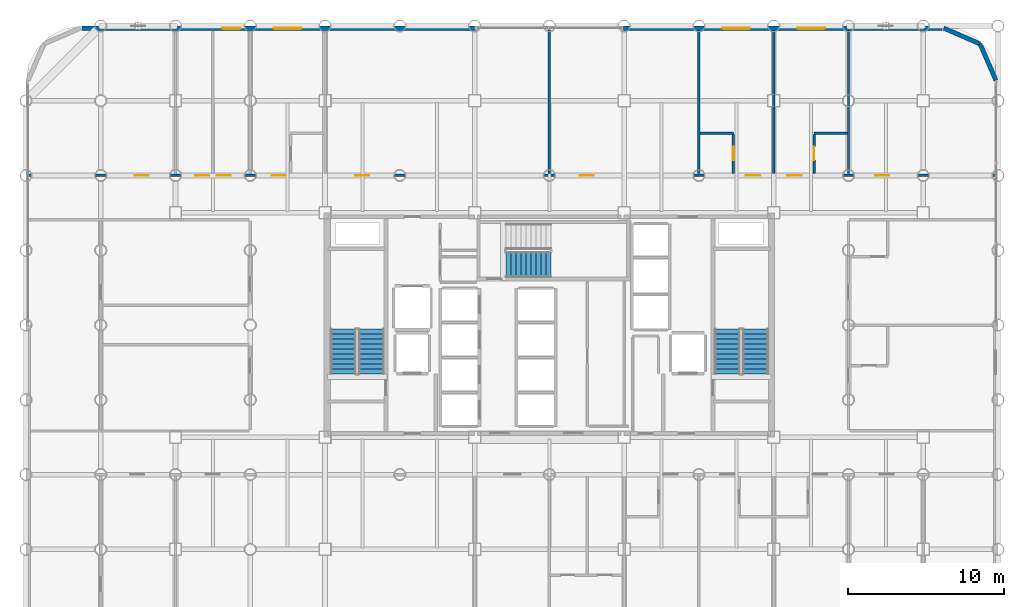
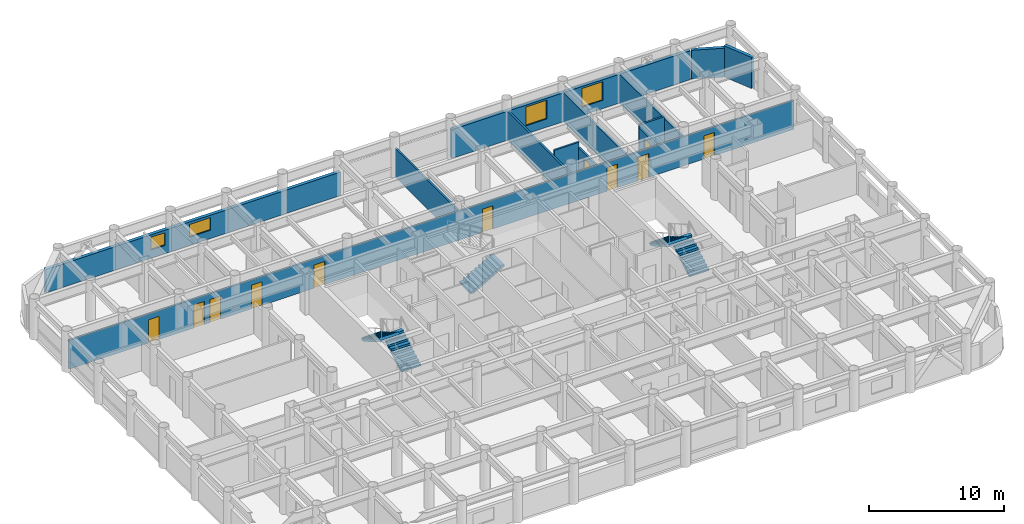
# One storey, part 19 of 21: 13 walls, 11 doors, 5 stair flights, 4 windows, 15 openings, 3 elements without a shape of their own.
"""IFC4 building model written with IfcOpenShell, lengths in metres."""

from ifc_helpers import new_model, si_unit, direction, frame, frame_2d, origin, place, context, subcontext, project, spatial, polyline, rectangle, outline, extrude, material, layer, layer_set, type_object, element, fill, aggregate, save


model = new_model("IFC4")

# Units and contexts
model_context = context("Model", 3, precision=1e-05, world=origin(), true_north=direction((0.0, 1.0)))
body_context = subcontext(model_context, "Body", "Model", "MODEL_VIEW")
ifc_project = project(units=[si_unit("LENGTHUNIT", "METRE"), si_unit("AREAUNIT", "SQUARE_METRE"), si_unit("VOLUMEUNIT", "CUBIC_METRE"), si_unit("PLANEANGLEUNIT", "RADIAN"), si_unit("MASSUNIT", "GRAM", prefix="KILO")], contexts=[model_context])

# Site, building, storey
site_placement = place(None, origin())
site = spatial("IfcSite", under=ifc_project, at=site_placement, CompositionType="ELEMENT")
building_placement = place(site_placement, origin())
building = spatial("IfcBuilding", under=site, at=building_placement, Name="Kallvorn Hotel Tower", CompositionType="ELEMENT")
storey_placement = place(building_placement, frame((0.0, 0.0, 44.800048828125)))
storey = spatial("IfcBuildingStorey", under=building, at=storey_placement, Name="L09", CompositionType="ELEMENT", Elevation=44.800048828125)

# Wall, openings, doors
ifc_material_1 = material(Name="Fire-rated double-layer acoustic gypsum drywall EI 60")
ifc_layer_1 = layer(ifc_material_1, 0.159912109375)
ifc_layer_set_1 = layer_set([ifc_layer_1], Name="WL_DEMISE_160")
wall_type_1 = type_object("IfcWallType", Name="WL_DEMISE_160", PredefinedType="PARTITIONING", material=ifc_layer_set_1)
wall_1_placement = place(storey_placement, frame((-33.429931640625, 9.60009765625, 0.0), z_axis=(0.0, 0.0, 1.0), x_axis=(1.0, 0.0, 0.0)))
wall_1 = element("IfcWall", 1, at=wall_1_placement, inside=storey, type_object=wall_type_1, Name="L09 Suite 907 Standard Twin Room Partition", PredefinedType="PARTITIONING", context=body_context, shape_type="SweptSolid", body=[
    extrude(rectangle(XDim=62.059814453125, YDim=0.159912109375, at=frame_2d((31.02978515625, 0.0))), origin(), (0.0, 0.0, 1.0), 2.619873046875),
])
opening_1_placement = place(wall_1_placement, frame((6.799560546875, 0.0, 0.0)))
opening_1 = element("IfcOpeningElement", 2, at=opening_1_placement, cuts=wall_1, Name="Opening SVD1", PredefinedType="OPENING", context=body_context, shape_type="SweptSolid", body=[
    extrude(rectangle(XDim=0.89990234375, YDim=2.10009765625, at=frame_2d((0.449951171875, 1.050048828125))), frame((0.0, 0.094970703125, 0.0), z_axis=(0.0, -1.0, 0.0), x_axis=(1.0, 0.0, 0.0)), (0.0, 0.0, 1.0), 0.18994140625),
])
opening_2_placement = place(wall_1_placement, frame((54.360595703125, 0.0, 0.0)))
opening_2 = element("IfcOpeningElement", 3, at=opening_2_placement, cuts=wall_1, Name="Opening SVD1", PredefinedType="OPENING", context=body_context, shape_type="SweptSolid", body=[
    extrude(rectangle(XDim=0.89990234375, YDim=2.10009765625, at=frame_2d((0.449951171875, 1.050048828125))), frame((0.0, 0.094970703125, 0.0), z_axis=(0.0, -1.0, 0.0), x_axis=(1.0, 0.0, 0.0)), (0.0, 0.0, 1.0), 0.18994140625),
])
opening_3_placement = place(wall_1_placement, frame((10.68994140625, 0.0, 0.0)))
opening_3 = element("IfcOpeningElement", 4, at=opening_3_placement, cuts=wall_1, Name="Opening SVD1", PredefinedType="OPENING", context=body_context, shape_type="SweptSolid", body=[
    extrude(rectangle(XDim=0.89990234375, YDim=2.10009765625, at=frame_2d((0.449951171875, 1.050048828125))), frame((0.0, 0.094970703125, 0.0), z_axis=(0.0, -1.0, 0.0), x_axis=(1.0, 0.0, 0.0)), (0.0, 0.0, 1.0), 0.18994140625),
])
opening_4_placement = place(wall_1_placement, frame((12.070068359375, 0.0, 0.0)))
opening_4 = element("IfcOpeningElement", 5, at=opening_4_placement, cuts=wall_1, Name="Opening SVD1", PredefinedType="OPENING", context=body_context, shape_type="SweptSolid", body=[
    extrude(rectangle(XDim=0.89990234375, YDim=2.10009765625, at=frame_2d((0.449951171875, 1.050048828125))), frame((0.0, 0.094970703125, 0.0), z_axis=(0.0, -1.0, 0.0), x_axis=(1.0, 0.0, 0.0)), (0.0, 0.0, 1.0), 0.18994140625),
])
opening_5_placement = place(wall_1_placement, frame((15.60009765625, 0.0, 0.0)))
opening_5 = element("IfcOpeningElement", 6, at=opening_5_placement, cuts=wall_1, Name="Opening GD1", PredefinedType="OPENING", context=body_context, shape_type="SweptSolid", body=[
    extrude(rectangle(XDim=0.919921875, YDim=2.14990234375, at=frame_2d((0.4599609375, 1.074951171875))), frame((0.0, 0.094970703125, 0.0), z_axis=(0.0, -1.0, 0.0), x_axis=(1.0, 0.0, 0.0)), (0.0, 0.0, 1.0), 0.18994140625),
])
opening_6_placement = place(wall_1_placement, frame((20.97998046875, 0.0, 0.0)))
opening_6 = element("IfcOpeningElement", 7, at=opening_6_placement, cuts=wall_1, Name="Opening SVD1", PredefinedType="OPENING", context=body_context, shape_type="SweptSolid", body=[
    extrude(rectangle(XDim=0.89990234375, YDim=2.10009765625, at=frame_2d((0.449951171875, 1.050048828125))), frame((0.0, 0.094970703125, 0.0), z_axis=(0.0, -1.0, 0.0), x_axis=(1.0, 0.0, 0.0)), (0.0, 0.0, 1.0), 0.18994140625),
])
opening_7_placement = place(wall_1_placement, frame((35.3798828125, 0.0, 0.0)))
opening_7 = element("IfcOpeningElement", 8, at=opening_7_placement, cuts=wall_1, Name="Opening SVD1", PredefinedType="OPENING", context=body_context, shape_type="SweptSolid", body=[
    extrude(rectangle(XDim=0.89990234375, YDim=2.10009765625, at=frame_2d((0.449951171875, 1.050048828125))), frame((0.0, 0.094970703125, 0.0), z_axis=(0.0, -1.0, 0.0), x_axis=(1.0, 0.0, 0.0)), (0.0, 0.0, 1.0), 0.18994140625),
])
opening_8_placement = place(wall_1_placement, frame((46.034912109375, 0.0, 0.0)))
opening_8 = element("IfcOpeningElement", 9, at=opening_8_placement, cuts=wall_1, Name="Opening GD1", PredefinedType="OPENING", context=body_context, shape_type="SweptSolid", body=[
    extrude(rectangle(XDim=0.919921875, YDim=2.14990234375, at=frame_2d((0.4599609375, 1.074951171875))), frame((0.0, 0.094970703125, 0.0), z_axis=(0.0, -1.0, 0.0), x_axis=(1.0, 0.0, 0.0)), (0.0, 0.0, 1.0), 0.18994140625),
])
opening_9_placement = place(wall_1_placement, frame((48.705078125, 0.0, 0.0)))
opening_9 = element("IfcOpeningElement", 10, at=opening_9_placement, cuts=wall_1, Name="Opening GD1", PredefinedType="OPENING", context=body_context, shape_type="SweptSolid", body=[
    extrude(rectangle(XDim=0.919921875, YDim=2.14990234375, at=frame_2d((0.4599609375, 1.074951171875))), frame((0.0, 0.094970703125, 0.0), z_axis=(0.0, -1.0, 0.0), x_axis=(1.0, 0.0, 0.0)), (0.0, 0.0, 1.0), 0.18994140625),
])
ifc_material_2 = material(Name="Solid-core walnut veneer fire-rated timber door leaf", Category="wood")
door_type_1 = type_object("IfcDoorType", Name="DR_GUEST_920x2150", OperationType="NOTDEFINED", PredefinedType="DOOR", material=ifc_material_2)
door_1_placement = place(opening_5_placement, origin())
door_1 = element("IfcDoor", 11, at=door_1_placement, inside=storey, type_object=door_type_1, Name="L09 Suite 907 Standard Twin Room Door", OperationType="SINGLE_SWING_RIGHT", OverallHeight=2.14990234375, OverallWidth=0.919921875, PredefinedType="DOOR", context=body_context, shape_type="SweptSolid", body=[
    extrude(rectangle(XDim=0.919921875, YDim=2.14990234375, at=frame_2d((0.4599609375, 1.074951171875))), frame((0.0, 0.02490234375, 0.0), z_axis=(0.0, -1.0, 0.0), x_axis=(1.0, 0.0, 0.0)), (0.0, 0.0, 1.0), 0.050048828125),
])
fill(opening_5, door_1)
door_2_placement = place(opening_8_placement, origin())
door_2 = element("IfcDoor", 12, at=door_2_placement, inside=storey, type_object=door_type_1, Name="L09 Suite 908 Standard King Room Door", OperationType="SINGLE_SWING_LEFT", OverallHeight=2.14990234375, OverallWidth=0.919921875, PredefinedType="DOOR", context=body_context, shape_type="SweptSolid", body=[
    extrude(rectangle(XDim=0.919921875, YDim=2.14990234375, at=frame_2d((0.4599609375, 1.074951171875))), frame((0.0, 0.02490234375, 0.0), z_axis=(0.0, -1.0, 0.0), x_axis=(1.0, 0.0, 0.0)), (0.0, 0.0, 1.0), 0.050048828125),
])
fill(opening_8, door_2)
door_3_placement = place(opening_9_placement, origin())
door_3 = element("IfcDoor", 13, at=door_3_placement, inside=storey, type_object=door_type_1, Name="L09 Suite 909 Standard King Room Door", OperationType="SINGLE_SWING_RIGHT", OverallHeight=2.14990234375, OverallWidth=0.919921875, PredefinedType="DOOR", context=body_context, shape_type="SweptSolid", body=[
    extrude(rectangle(XDim=0.919921875, YDim=2.14990234375, at=frame_2d((0.4599609375, 1.074951171875))), frame((0.0, 0.02490234375, 0.0), z_axis=(0.0, -1.0, 0.0), x_axis=(1.0, 0.0, 0.0)), (0.0, 0.0, 1.0), 0.050048828125),
])
fill(opening_9, door_3)
ifc_material_3 = material(Name="Galvanised painted steel fire-rated door assembly", Category="steel")
door_type_2 = type_object("IfcDoorType", Name="DR_SERV_900x2100", OperationType="NOTDEFINED", PredefinedType="DOOR", material=ifc_material_3)
door_4_placement = place(opening_1_placement, origin())
door_4 = element("IfcDoor", 14, at=door_4_placement, inside=storey, type_object=door_type_2, Name="L09 L09 North-West Fitness Gymnasium Door", OperationType="SINGLE_SWING_LEFT", OverallHeight=2.10009765625, OverallWidth=0.89990234375, PredefinedType="DOOR", context=body_context, shape_type="SweptSolid", body=[
    extrude(rectangle(XDim=0.89990234375, YDim=2.10009765625, at=frame_2d((0.449951171875, 1.050048828125))), frame((0.0, 0.02490234375, 0.0), z_axis=(0.0, -1.0, 0.0), x_axis=(1.0, 0.0, 0.0)), (0.0, 0.0, 1.0), 0.050048828125),
])
fill(opening_1, door_4)
door_5_placement = place(opening_2_placement, origin())
door_5 = element("IfcDoor", 15, at=door_5_placement, inside=storey, type_object=door_type_2, Name="L09 L09 North-East Reading Club Door", OperationType="SINGLE_SWING_LEFT", OverallHeight=2.10009765625, OverallWidth=0.89990234375, PredefinedType="DOOR", context=body_context, shape_type="SweptSolid", body=[
    extrude(rectangle(XDim=0.89990234375, YDim=2.10009765625, at=frame_2d((0.449951171875, 1.050048828125))), frame((0.0, 0.02490234375, 0.0), z_axis=(0.0, -1.0, 0.0), x_axis=(1.0, 0.0, 0.0)), (0.0, 0.0, 1.0), 0.050048828125),
])
fill(opening_2, door_5)
door_6_placement = place(opening_3_placement, origin())
door_6 = element("IfcDoor", 16, at=door_6_placement, inside=storey, type_object=door_type_2, Name="L09 Housekeeping and Linen Room Door", OperationType="SINGLE_SWING_LEFT", OverallHeight=2.10009765625, OverallWidth=0.89990234375, PredefinedType="DOOR", context=body_context, shape_type="SweptSolid", body=[
    extrude(rectangle(XDim=0.89990234375, YDim=2.10009765625, at=frame_2d((0.449951171875, 1.050048828125))), frame((0.0, 0.02490234375, 0.0), z_axis=(0.0, -1.0, 0.0), x_axis=(1.0, 0.0, 0.0)), (0.0, 0.0, 1.0), 0.050048828125),
])
fill(opening_3, door_6)
door_7_placement = place(opening_4_placement, origin())
door_7 = element("IfcDoor", 17, at=door_7_placement, inside=storey, type_object=door_type_2, Name="L09 Guest Tea and Refreshment Bar Door", OperationType="SINGLE_SWING_LEFT", OverallHeight=2.10009765625, OverallWidth=0.89990234375, PredefinedType="DOOR", context=body_context, shape_type="SweptSolid", body=[
    extrude(rectangle(XDim=0.89990234375, YDim=2.10009765625, at=frame_2d((0.449951171875, 1.050048828125))), frame((0.0, 0.02490234375, 0.0), z_axis=(0.0, -1.0, 0.0), x_axis=(1.0, 0.0, 0.0)), (0.0, 0.0, 1.0), 0.050048828125),
])
fill(opening_4, door_7)
door_8_placement = place(opening_6_placement, origin())
door_8 = element("IfcDoor", 18, at=door_8_placement, inside=storey, type_object=door_type_2, Name="L09 L09 Altitude Wellness Fitness Gymnasium 3 Door", OperationType="SINGLE_SWING_RIGHT", OverallHeight=2.10009765625, OverallWidth=0.89990234375, PredefinedType="DOOR", context=body_context, shape_type="SweptSolid", body=[
    extrude(rectangle(XDim=0.89990234375, YDim=2.10009765625, at=frame_2d((0.449951171875, 1.050048828125))), frame((0.0, 0.02490234375, 0.0), z_axis=(0.0, -1.0, 0.0), x_axis=(1.0, 0.0, 0.0)), (0.0, 0.0, 1.0), 0.050048828125),
])
fill(opening_6, door_8)
door_9_placement = place(opening_7_placement, origin())
door_9 = element("IfcDoor", 19, at=door_9_placement, inside=storey, type_object=door_type_2, Name="L09 L09 Curated Emerald Craft Retail Boutique 4 Door", OperationType="SINGLE_SWING_LEFT", OverallHeight=2.10009765625, OverallWidth=0.89990234375, PredefinedType="DOOR", context=body_context, shape_type="SweptSolid", body=[
    extrude(rectangle(XDim=0.89990234375, YDim=2.10009765625, at=frame_2d((0.449951171875, 1.050048828125))), frame((0.0, 0.02490234375, 0.0), z_axis=(0.0, -1.0, 0.0), x_axis=(1.0, 0.0, 0.0)), (0.0, 0.0, 1.0), 0.050048828125),
])
fill(opening_7, door_9)

# Walls
wall_2_placement = place(storey_placement, frame((9.679931640625, 12.320068359375, 0.0), z_axis=(0.0, 0.0, 1.0), x_axis=(1.0, 0.0, 0.0)))
element("IfcWall", 20, at=wall_2_placement, inside=storey, type_object=wall_type_1, Name="L09 Suite 908 Standard King Room Partition", PredefinedType="PARTITIONING", context=body_context, shape_type="SweptSolid", body=[
    extrude(rectangle(XDim=2.130126953125, YDim=0.159912109375, at=frame_2d((1.06494140625, 0.0))), origin(), (0.0, 0.0, 1.0), 3.070068359375),
])
wall_3_placement = place(storey_placement, frame((16.989990234375, 12.320068359375, 0.0), z_axis=(0.0, 0.0, 1.0), x_axis=(1.0, 0.0, 0.0)))
element("IfcWall", 21, at=wall_3_placement, inside=storey, type_object=wall_type_1, Name="L09 Suite 909 Standard King Room Partition", PredefinedType="PARTITIONING", context=body_context, shape_type="SweptSolid", body=[
    extrude(rectangle(XDim=2.130126953125, YDim=0.159912109375, at=frame_2d((1.06494140625, 0.0))), origin(), (0.0, 0.0, 1.0), 2.820068359375),
])
wall_4_placement = place(storey_placement, frame((9.60009765625, 9.719970703125, 0.0), z_axis=(0.0, 0.0, 1.0), x_axis=(0.0, 1.0, 0.0)))
element("IfcWall", 22, at=wall_4_placement, inside=storey, type_object=wall_type_1, Name="L09 Suite 908 Standard King Room Partition", PredefinedType="PARTITIONING", context=body_context, shape_type="SweptSolid", body=[
    extrude(rectangle(XDim=9.18994140625, YDim=0.159912109375, at=frame_2d((4.594970703125, 0.0))), origin(), (0.0, 0.0, 1.0), 2.619873046875),
])

# Wall, opening, door
wall_5_placement = place(storey_placement, frame((11.81005859375, 9.719970703125, 0.0), z_axis=(0.0, 0.0, 1.0), x_axis=(0.0, 1.0, 0.0)))
wall_5 = element("IfcWall", 23, at=wall_5_placement, inside=storey, type_object=wall_type_1, Name="L09 Suite 908 Standard King Room Partition", PredefinedType="PARTITIONING", context=body_context, shape_type="SweptSolid", body=[
    extrude(rectangle(XDim=2.51513671875, YDim=0.159912109375, at=frame_2d((1.257568359375, 0.0))), origin(), (0.0, 0.0, 1.0), 2.619873046875),
])
opening_10_placement = place(wall_5_placement, frame((0.8701171875, 0.0, 0.0)))
opening_10 = element("IfcOpeningElement", 24, at=opening_10_placement, cuts=wall_5, Name="Opening BD-I", PredefinedType="OPENING", context=body_context, shape_type="SweptSolid", body=[
    extrude(rectangle(XDim=0.860107421875, YDim=2.10009765625, at=frame_2d((0.43017578125, 1.050048828125))), frame((0.0, 0.094970703125, 0.0), z_axis=(0.0, -1.0, 0.0), x_axis=(1.0, 0.0, 0.0)), (0.0, 0.0, 1.0), 0.18994140625),
])
ifc_material_4 = material(Name="Solid-core walnut veneer fire-rated timber door leaf", Category="wood")
door_type_3 = type_object("IfcDoorType", Name="DR_BATH_860x2100", OperationType="NOTDEFINED", PredefinedType="DOOR", material=ifc_material_4)
door_10_placement = place(opening_10_placement, origin())
door_10 = element("IfcDoor", 25, at=door_10_placement, inside=storey, type_object=door_type_3, Name="L09 Suite 908 En-Suite Bathroom Door", OperationType="SINGLE_SWING_RIGHT", OverallHeight=2.10009765625, OverallWidth=0.860107421875, PredefinedType="DOOR", context=body_context, shape_type="SweptSolid", body=[
    extrude(rectangle(XDim=0.860107421875, YDim=2.10009765625, at=frame_2d((0.43017578125, 1.050048828125))), frame((0.0, 0.02490234375, 0.0), z_axis=(0.0, -1.0, 0.0), x_axis=(1.0, 0.0, 0.0)), (0.0, 0.0, 1.0), 0.050048828125),
])
fill(opening_10, door_10)

# Wall
wall_6_placement = place(storey_placement, frame((14.39990234375, 9.719970703125, 0.0), z_axis=(0.0, 0.0, 1.0), x_axis=(0.0, 1.0, 0.0)))
element("IfcWall", 26, at=wall_6_placement, inside=storey, type_object=wall_type_1, Name="L09 Suite 908 Standard King Room Partition", PredefinedType="PARTITIONING", context=body_context, shape_type="SweptSolid", body=[
    extrude(rectangle(XDim=9.18994140625, YDim=0.159912109375, at=frame_2d((4.594970703125, 0.0))), origin(), (0.0, 0.0, 1.0), 2.619873046875),
])

# Wall, opening, door
wall_7_placement = place(storey_placement, frame((16.989990234375, 9.719970703125, 0.0), z_axis=(0.0, 0.0, 1.0), x_axis=(0.0, 1.0, 0.0)))
wall_7 = element("IfcWall", 27, at=wall_7_placement, inside=storey, type_object=wall_type_1, Name="L09 Suite 909 Standard King Room Partition", PredefinedType="PARTITIONING", context=body_context, shape_type="SweptSolid", body=[
    extrude(rectangle(XDim=2.51513671875, YDim=0.159912109375, at=frame_2d((1.257568359375, 0.0))), origin(), (0.0, 0.0, 1.0), 2.619873046875),
])
opening_11_placement = place(wall_7_placement, frame((0.8701171875, 0.0, 0.0)))
opening_11 = element("IfcOpeningElement", 28, at=opening_11_placement, cuts=wall_7, Name="Opening BD-I", PredefinedType="OPENING", context=body_context, shape_type="SweptSolid", body=[
    extrude(rectangle(XDim=0.860107421875, YDim=2.10009765625, at=frame_2d((0.43017578125, 1.050048828125))), frame((0.0, 0.094970703125, 0.0), z_axis=(0.0, -1.0, 0.0), x_axis=(1.0, 0.0, 0.0)), (0.0, 0.0, 1.0), 0.18994140625),
])
door_11_placement = place(opening_11_placement, origin())
door_11 = element("IfcDoor", 29, at=door_11_placement, inside=storey, type_object=door_type_3, Name="L09 Suite 909 En-Suite Bathroom Door", OperationType="SINGLE_SWING_LEFT", OverallHeight=2.10009765625, OverallWidth=0.860107421875, PredefinedType="DOOR", context=body_context, shape_type="SweptSolid", body=[
    extrude(rectangle(XDim=0.860107421875, YDim=2.10009765625, at=frame_2d((0.43017578125, 1.050048828125))), frame((0.0, 0.02490234375, 0.0), z_axis=(0.0, -1.0, 0.0), x_axis=(1.0, 0.0, 0.0)), (0.0, 0.0, 1.0), 0.050048828125),
])
fill(opening_11, door_11)

# Walls
wall_8_placement = place(storey_placement, frame((19.199951171875, 9.719970703125, 0.0), z_axis=(0.0, 0.0, 1.0), x_axis=(0.0, 1.0, 0.0)))
element("IfcWall", 30, at=wall_8_placement, inside=storey, type_object=wall_type_1, Name="L09 Suite 909 Standard King Room Partition", PredefinedType="PARTITIONING", context=body_context, shape_type="SweptSolid", body=[
    extrude(rectangle(XDim=9.18994140625, YDim=0.159912109375, at=frame_2d((4.594970703125, 0.0))), origin(), (0.0, 0.0, 1.0), 2.619873046875),
])
ifc_material_5 = material(Name="Precast basalt-clad insulated concrete wall C40/50", Category="masonry")
ifc_layer_2 = layer(ifc_material_5, 0.280029296875)
ifc_layer_set_2 = layer_set([ifc_layer_2], Name="WL_EXT_LOGGIA_280")
wall_type_2 = type_object("IfcWallType", Name="WL_EXT_LOGGIA_280", PredefinedType="SOLIDWALL", material=ifc_layer_set_2)
wall_9_placement = place(storey_placement, frame((28.657958984375, 15.720703125, 0.0), z_axis=(0.0, 0.0, 1.0), x_axis=(-0.398792985289, 0.917040977756, 0.0)))
element("IfcWall", 31, at=wall_9_placement, inside=storey, type_object=wall_type_2, Name="L09 Rounded Corner Exterior Wall NE1", PredefinedType="SOLIDWALL", context=body_context, shape_type="SweptSolid", body=[
    extrude(rectangle(XDim=2.536376953125, YDim=0.280029296875, at=frame_2d((1.26806640625, 0.0))), origin(), (0.0, 0.0, 1.0), 2.820068359375),
])
wall_10_placement = place(storey_placement, frame((27.646484375, 18.046630859375, 0.0), z_axis=(0.0, 0.0, 1.0), x_axis=(-0.917060872934, 0.398747232384, 0.0)))
element("IfcWall", 32, at=wall_10_placement, inside=storey, type_object=wall_type_2, Name="L09 Rounded Corner Exterior Wall NE2", PredefinedType="SOLIDWALL", context=body_context, shape_type="SweptSolid", body=[
    extrude(rectangle(XDim=2.5361328125, YDim=0.280029296875, at=frame_2d((1.26806640625, 0.0))), origin(), (0.0, 0.0, 1.0), 2.619873046875),
])

# Wall, openings, windows
wall_11_placement = place(storey_placement, frame((-30.0, 19.06005859375, 0.0), z_axis=(0.0, 0.0, 1.0), x_axis=(1.0, 0.0, 0.0)))
wall_11 = element("IfcWall", 33, at=wall_11_placement, inside=storey, type_object=wall_type_2, Name="L09 Exterior Envelope Wall EW-L09-NW", PredefinedType="SOLIDWALL", context=body_context, shape_type="SweptSolid", body=[
    extrude(rectangle(XDim=25.25, YDim=0.280029296875, at=frame_2d((12.625, 0.0))), origin(), (0.0, 0.0, 1.0), 2.119873046875),
])
opening_12_placement = place(wall_11_placement, frame((9.0, 0.0, 0.75)))
opening_12 = element("IfcOpeningElement", 34, at=opening_12_placement, cuts=wall_11, Name="Opening W06A", PredefinedType="OPENING", context=body_context, shape_type="SweptSolid", body=[
    extrude(rectangle(XDim=1.199951171875, YDim=1.14990234375, at=frame_2d((0.60009765625, 0.574951171875))), frame((0.0, 0.155029296875, 0.0), z_axis=(0.0, -1.0, 0.0), x_axis=(1.0, 0.0, 0.0)), (0.0, 0.0, 1.0), 0.31005859375),
])
opening_13_placement = place(wall_11_placement, frame((12.300048828125, 0.0, 0.75)))
opening_13 = element("IfcOpeningElement", 35, at=opening_13_placement, cuts=wall_11, Name="Opening W04A", PredefinedType="OPENING", context=body_context, shape_type="SweptSolid", body=[
    extrude(rectangle(XDim=1.800048828125, YDim=1.14990234375, at=frame_2d((0.89990234375, 0.574951171875))), frame((0.0, 0.155029296875, 0.0), z_axis=(0.0, -1.0, 0.0), x_axis=(1.0, 0.0, 0.0)), (0.0, 0.0, 1.0), 0.31005859375),
])
ifc_material_6 = material(Name="Triple-glazed low-e acoustic solar-control dark glass", Category="glass")
window_type_1 = type_object("IfcWindowType", Name="WN_HTL_1200x1150", PartitioningType="SINGLE_PANEL", PredefinedType="WINDOW", material=ifc_material_6)
window_1_placement = place(opening_12_placement, origin())
window_1 = element("IfcWindow", 36, at=window_1_placement, inside=storey, type_object=window_type_1, Name="L09 Guestroom Exterior Window 06", OverallHeight=1.14990234375, OverallWidth=1.199951171875, PartitioningType="SINGLE_PANEL", PredefinedType="WINDOW", context=body_context, shape_type="SweptSolid", body=[
    extrude(rectangle(XDim=1.199951171875, YDim=1.14990234375, at=frame_2d((0.60009765625, 0.574951171875))), frame((0.0, 0.030029296875, 0.0), z_axis=(0.0, -1.0, 0.0), x_axis=(1.0, 0.0, 0.0)), (0.0, 0.0, 1.0), 0.06005859375),
])
fill(opening_12, window_1)
ifc_material_7 = material(Name="Double-glazed low-e solar-control dark glass", Category="glass")
window_type_2 = type_object("IfcWindowType", Name="WN_HTL_1800x1150", PartitioningType="SINGLE_PANEL", PredefinedType="WINDOW", material=ifc_material_7)
window_2_placement = place(opening_13_placement, origin())
window_2 = element("IfcWindow", 37, at=window_2_placement, inside=storey, type_object=window_type_2, Name="L09 Guestroom Exterior Window 07", OverallHeight=1.14990234375, OverallWidth=1.800048828125, PartitioningType="SINGLE_PANEL", PredefinedType="WINDOW", context=body_context, shape_type="SweptSolid", body=[
    extrude(rectangle(XDim=1.800048828125, YDim=1.14990234375, at=frame_2d((0.89990234375, 0.574951171875))), frame((0.0, 0.030029296875, 0.0), z_axis=(0.0, -1.0, 0.0), x_axis=(1.0, 0.0, 0.0)), (0.0, 0.0, 1.0), 0.06005859375),
])
fill(opening_13, window_2)

wall_12_placement = place(storey_placement, frame((4.75, 19.06005859375, 0.0), z_axis=(0.0, 0.0, 1.0), x_axis=(1.0, 0.0, 0.0)))
wall_12 = element("IfcWall", 38, at=wall_12_placement, inside=storey, type_object=wall_type_2, Name="L09 Exterior Envelope Wall EW-L09-NE", PredefinedType="SOLIDWALL", context=body_context, shape_type="SweptSolid", body=[
    extrude(rectangle(XDim=20.449951171875, YDim=0.280029296875, at=frame_2d((10.22509765625, 0.0))), origin(), (0.0, 0.0, 1.0), 2.619873046875),
])
opening_14_placement = place(wall_12_placement, frame((6.35009765625, 0.0, 0.75)))
opening_14 = element("IfcOpeningElement", 39, at=opening_14_placement, cuts=wall_12, Name="Opening W04", PredefinedType="OPENING", context=body_context, shape_type="SweptSolid", body=[
    extrude(rectangle(XDim=1.800048828125, YDim=1.699951171875, at=frame_2d((0.89990234375, 0.85009765625))), frame((0.0, 0.155029296875, 0.0), z_axis=(0.0, -1.0, 0.0), x_axis=(1.0, 0.0, 0.0)), (0.0, 0.0, 1.0), 0.31005859375),
])
opening_15_placement = place(wall_12_placement, frame((11.14990234375, 0.0, 0.75)))
opening_15 = element("IfcOpeningElement", 40, at=opening_15_placement, cuts=wall_12, Name="Opening W04", PredefinedType="OPENING", context=body_context, shape_type="SweptSolid", body=[
    extrude(rectangle(XDim=1.800048828125, YDim=1.699951171875, at=frame_2d((0.89990234375, 0.85009765625))), frame((0.0, 0.155029296875, 0.0), z_axis=(0.0, -1.0, 0.0), x_axis=(1.0, 0.0, 0.0)), (0.0, 0.0, 1.0), 0.31005859375),
])
ifc_material_8 = material(Name="Double-glazed low-e solar-control dark glass", Category="glass")
window_type_3 = type_object("IfcWindowType", Name="WN_HTL_1800x1700", PartitioningType="SINGLE_PANEL", PredefinedType="WINDOW", material=ifc_material_8)
window_3_placement = place(opening_14_placement, origin())
window_3 = element("IfcWindow", 41, at=window_3_placement, inside=storey, type_object=window_type_3, Name="L09 Guestroom Exterior Window 08", OverallHeight=1.699951171875, OverallWidth=1.800048828125, PartitioningType="SINGLE_PANEL", PredefinedType="WINDOW", context=body_context, shape_type="SweptSolid", body=[
    extrude(rectangle(XDim=1.800048828125, YDim=1.699951171875, at=frame_2d((0.89990234375, 0.85009765625))), frame((0.0, 0.030029296875, 0.0), z_axis=(0.0, -1.0, 0.0), x_axis=(1.0, 0.0, 0.0)), (0.0, 0.0, 1.0), 0.06005859375),
])
fill(opening_14, window_3)
window_4_placement = place(opening_15_placement, origin())
window_4 = element("IfcWindow", 42, at=window_4_placement, inside=storey, type_object=window_type_3, Name="L09 Guestroom Exterior Window 09", OverallHeight=1.699951171875, OverallWidth=1.800048828125, PartitioningType="SINGLE_PANEL", PredefinedType="WINDOW", context=body_context, shape_type="SweptSolid", body=[
    extrude(rectangle(XDim=1.800048828125, YDim=1.699951171875, at=frame_2d((0.89990234375, 0.85009765625))), frame((0.0, 0.030029296875, 0.0), z_axis=(0.0, -1.0, 0.0), x_axis=(1.0, 0.0, 0.0)), (0.0, 0.0, 1.0), 0.06005859375),
])
fill(opening_15, window_4)

# Wall
ifc_material_9 = material(Name="Fire-rated double-layer acoustic gypsum drywall EI 60")
ifc_layer_3 = layer(ifc_material_9, 0.14990234375)
ifc_layer_set_3 = layer_set([ifc_layer_3], Name="WL_PART_150")
wall_type_3 = type_object("IfcWallType", Name="WL_PART_150", PredefinedType="PARTITIONING", material=ifc_layer_set_3)
wall_13_placement = place(storey_placement, frame((0.0, 9.719970703125, 0.0), z_axis=(0.0, 0.0, 1.0), x_axis=(0.0, 1.0, 0.0)))
element("IfcWall", 43, at=wall_13_placement, inside=storey, type_object=wall_type_3, Name="L09 L09 Altitude Wellness Fitness Gymnasium 3 Partition", PredefinedType="PARTITIONING", context=body_context, shape_type="SweptSolid", body=[
    extrude(rectangle(XDim=9.275146484375, YDim=0.14990234375, at=frame_2d((4.6376953125, 0.0))), origin(), (0.0, 0.0, 1.0), 2.619873046875),
])

# Stair, stair flights
ifc_material_10 = material(Name="Precast concrete C40/50", Category="concrete")
stair_type = type_object("IfcStairType", Name="STR_CORE_DOGLEG", PredefinedType="HALF_TURN_STAIR", material=ifc_material_10)
stair_1_placement = place(storey_placement, origin())
stair_1 = element("IfcStair", 44, at=stair_1_placement, inside=storey, type_object=stair_type, Name="L09 Exit stair ST1", PredefinedType="HALF_TURN_STAIR")
ifc_material_11 = material(Name="Precast concrete C40/50", Category="concrete")
stair_flight_type = type_object("IfcStairFlightType", Name="FLT_CORE_1660", PredefinedType="STRAIGHT", material=ifc_material_11)
stair_flight_1_placement = place(storey_placement, frame((-11.429931640625, -3.139892578125, 0.0), z_axis=(0.0, 0.0, 1.0), x_axis=(0.0, 1.0, 0.0)))
stair_flight_1 = element("IfcStairFlight", 45, at=stair_flight_1_placement, type_object=stair_flight_type, Name="ST1 flight 1", NumberOfRisers=10, NumberOfTreads=9, PredefinedType="STRAIGHT", RiserHeight=0.185, TreadLength=0.32, context=body_context, shape_type="SweptSolid", body=[
    extrude(outline(polyline([(0.0, 0.0), (0.0, 0.18505859375), (0.320068359375, 0.18505859375), (0.320068359375, 0.3701171875), (0.639892578125, 0.3701171875), (0.639892578125, 0.554931640625), (0.9599609375, 0.554931640625), (0.9599609375, 0.739990234375), (1.280029296875, 0.739990234375), (1.280029296875, 0.925048828125), (1.60009765625, 0.925048828125), (1.60009765625, 1.110107421875), (1.919921875, 1.110107421875), (1.919921875, 1.294921875), (2.239990234375, 1.294921875), (2.239990234375, 1.47998046875), (2.56005859375, 1.47998046875), (2.56005859375, 1.6650390625), (2.8798828125, 1.6650390625), (2.8798828125, 1.85009765625), (2.8798828125, 1.491943359375), (0.299560546875, 0.0), (0.0, 0.0)])), frame((0.0, 0.830078125, 0.0), z_axis=(0.0, -1.0, 0.0), x_axis=(1.0, 0.0, 0.0)), (0.0, 0.0, 1.0), 1.659912109375),
])
stair_flight_2_placement = place(storey_placement, frame((-13.22998046875, -0.260009765625, 1.849853515625), z_axis=(0.0, 0.0, 1.0), x_axis=(0.0, -1.0, 0.0)))
stair_flight_2 = element("IfcStairFlight", 46, at=stair_flight_2_placement, type_object=stair_flight_type, Name="ST1 flight 2", NumberOfRisers=10, NumberOfTreads=9, PredefinedType="STRAIGHT", RiserHeight=0.185, TreadLength=0.32, context=body_context, shape_type="SweptSolid", body=[
    extrude(outline(polyline([(0.0, 0.0), (0.0, 0.18505859375), (0.320068359375, 0.18505859375), (0.320068359375, 0.3701171875), (0.639892578125, 0.3701171875), (0.639892578125, 0.554931640625), (0.9599609375, 0.554931640625), (0.9599609375, 0.739990234375), (1.280029296875, 0.739990234375), (1.280029296875, 0.925048828125), (1.60009765625, 0.925048828125), (1.60009765625, 1.110107421875), (1.919921875, 1.110107421875), (1.919921875, 1.294921875), (2.239990234375, 1.294921875), (2.239990234375, 1.47998046875), (2.56005859375, 1.47998046875), (2.56005859375, 1.6650390625), (2.8798828125, 1.6650390625), (2.8798828125, 1.85009765625), (2.8798828125, 1.491943359375), (0.299560546875, 0.0), (0.0, 0.0)])), frame((0.0, 0.830078125, 0.0), z_axis=(0.0, -1.0, 0.0), x_axis=(1.0, 0.0, 0.0)), (0.0, 0.0, 1.0), 1.659912109375),
])
aggregate(stair_1, [stair_flight_1, stair_flight_2])

stair_2_placement = place(storey_placement, origin())
stair_2 = element("IfcStair", 47, at=stair_2_placement, inside=storey, type_object=stair_type, Name="L09 Exit stair ST2", PredefinedType="HALF_TURN_STAIR")
stair_flight_3_placement = place(storey_placement, frame((13.22998046875, -3.139892578125, 0.0), z_axis=(0.0, 0.0, 1.0), x_axis=(0.0, 1.0, 0.0)))
stair_flight_3 = element("IfcStairFlight", 48, at=stair_flight_3_placement, type_object=stair_flight_type, Name="ST2 flight 1", NumberOfRisers=10, NumberOfTreads=9, PredefinedType="STRAIGHT", RiserHeight=0.185, TreadLength=0.32, context=body_context, shape_type="SweptSolid", body=[
    extrude(outline(polyline([(0.0, 0.0), (0.0, 0.18505859375), (0.320068359375, 0.18505859375), (0.320068359375, 0.3701171875), (0.639892578125, 0.3701171875), (0.639892578125, 0.554931640625), (0.9599609375, 0.554931640625), (0.9599609375, 0.739990234375), (1.280029296875, 0.739990234375), (1.280029296875, 0.925048828125), (1.60009765625, 0.925048828125), (1.60009765625, 1.110107421875), (1.919921875, 1.110107421875), (1.919921875, 1.294921875), (2.239990234375, 1.294921875), (2.239990234375, 1.47998046875), (2.56005859375, 1.47998046875), (2.56005859375, 1.6650390625), (2.8798828125, 1.6650390625), (2.8798828125, 1.85009765625), (2.8798828125, 1.491943359375), (0.299560546875, 0.0), (0.0, 0.0)])), frame((0.0, 0.830078125, 0.0), z_axis=(0.0, -1.0, 0.0), x_axis=(1.0, 0.0, 0.0)), (0.0, 0.0, 1.0), 1.659912109375),
])
stair_flight_4_placement = place(storey_placement, frame((11.429931640625, -0.260009765625, 1.849853515625), z_axis=(0.0, 0.0, 1.0), x_axis=(0.0, -1.0, 0.0)))
stair_flight_4 = element("IfcStairFlight", 49, at=stair_flight_4_placement, type_object=stair_flight_type, Name="ST2 flight 2", NumberOfRisers=10, NumberOfTreads=9, PredefinedType="STRAIGHT", RiserHeight=0.185, TreadLength=0.32, context=body_context, shape_type="SweptSolid", body=[
    extrude(outline(polyline([(0.0, 0.0), (0.0, 0.18505859375), (0.320068359375, 0.18505859375), (0.320068359375, 0.3701171875), (0.639892578125, 0.3701171875), (0.639892578125, 0.554931640625), (0.9599609375, 0.554931640625), (0.9599609375, 0.739990234375), (1.280029296875, 0.739990234375), (1.280029296875, 0.925048828125), (1.60009765625, 0.925048828125), (1.60009765625, 1.110107421875), (1.919921875, 1.110107421875), (1.919921875, 1.294921875), (2.239990234375, 1.294921875), (2.239990234375, 1.47998046875), (2.56005859375, 1.47998046875), (2.56005859375, 1.6650390625), (2.8798828125, 1.6650390625), (2.8798828125, 1.85009765625), (2.8798828125, 1.491943359375), (0.299560546875, 0.0), (0.0, 0.0)])), frame((0.0, 0.830078125, 0.0), z_axis=(0.0, -1.0, 0.0), x_axis=(1.0, 0.0, 0.0)), (0.0, 0.0, 1.0), 1.659912109375),
])
aggregate(stair_2, [stair_flight_3, stair_flight_4])

# Stair, stair flight
stair_3_placement = place(storey_placement, origin())
stair_3 = element("IfcStair", 50, at=stair_3_placement, inside=storey, type_object=stair_type, Name="L09 Exit stair ST3", PredefinedType="HALF_TURN_STAIR")
stair_flight_5_placement = place(storey_placement, frame((-2.7900390625, 3.8798828125, 0.0), z_axis=(0.0, 0.0, 1.0), x_axis=(1.0, 0.0, 0.0)))
stair_flight_5 = element("IfcStairFlight", 51, at=stair_flight_5_placement, type_object=stair_flight_type, Name="ST3 flight 1", NumberOfRisers=10, NumberOfTreads=9, PredefinedType="STRAIGHT", RiserHeight=0.185, TreadLength=0.32, context=body_context, shape_type="SweptSolid", body=[
    extrude(outline(polyline([(0.0, 0.0), (0.0, 0.18505859375), (0.320068359375, 0.18505859375), (0.320068359375, 0.3701171875), (0.639892578125, 0.3701171875), (0.639892578125, 0.554931640625), (0.9599609375, 0.554931640625), (0.9599609375, 0.739990234375), (1.280029296875, 0.739990234375), (1.280029296875, 0.925048828125), (1.60009765625, 0.925048828125), (1.60009765625, 1.110107421875), (1.919921875, 1.110107421875), (1.919921875, 1.294921875), (2.239990234375, 1.294921875), (2.239990234375, 1.47998046875), (2.56005859375, 1.47998046875), (2.56005859375, 1.6650390625), (2.8798828125, 1.6650390625), (2.8798828125, 1.85009765625), (2.8798828125, 1.491943359375), (0.299560546875, 0.0), (0.0, 0.0)])), frame((0.0, 0.830078125, 0.0), z_axis=(0.0, -1.0, 0.0), x_axis=(1.0, 0.0, 0.0)), (0.0, 0.0, 1.0), 1.659912109375),
])
aggregate(stair_3, [stair_flight_5])

save(model, "model.ifc")
